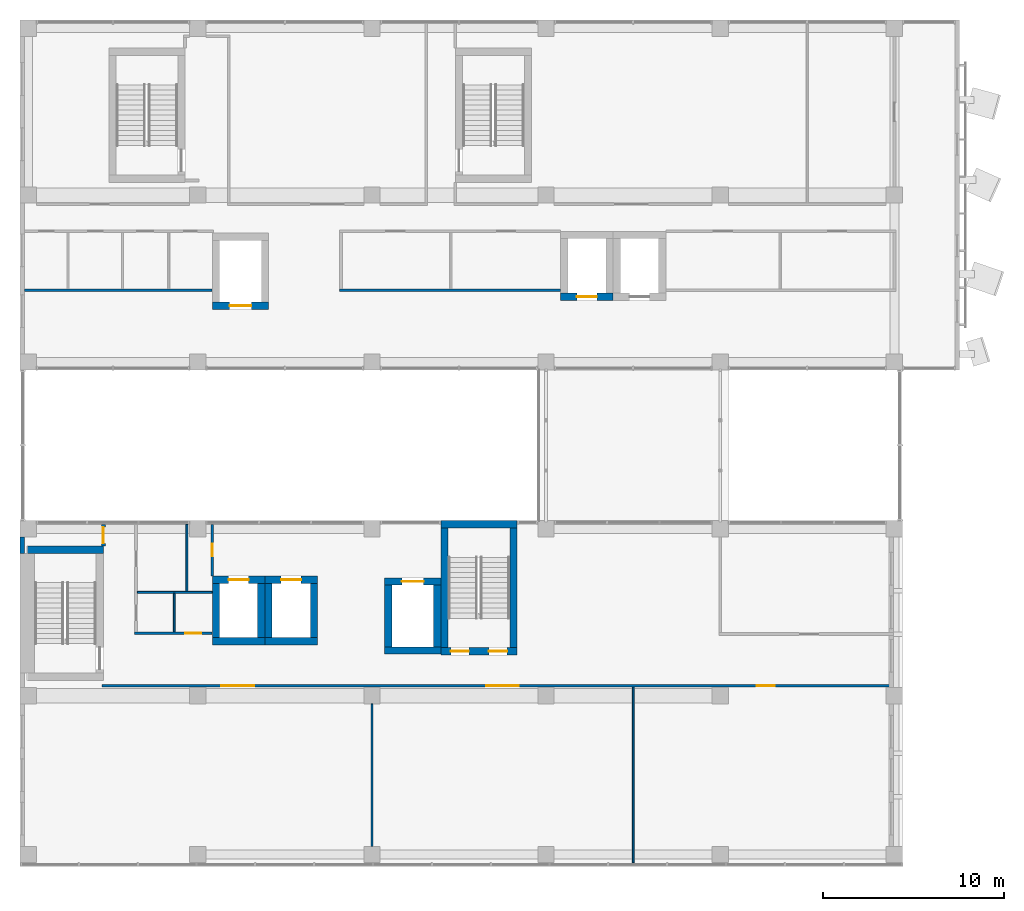
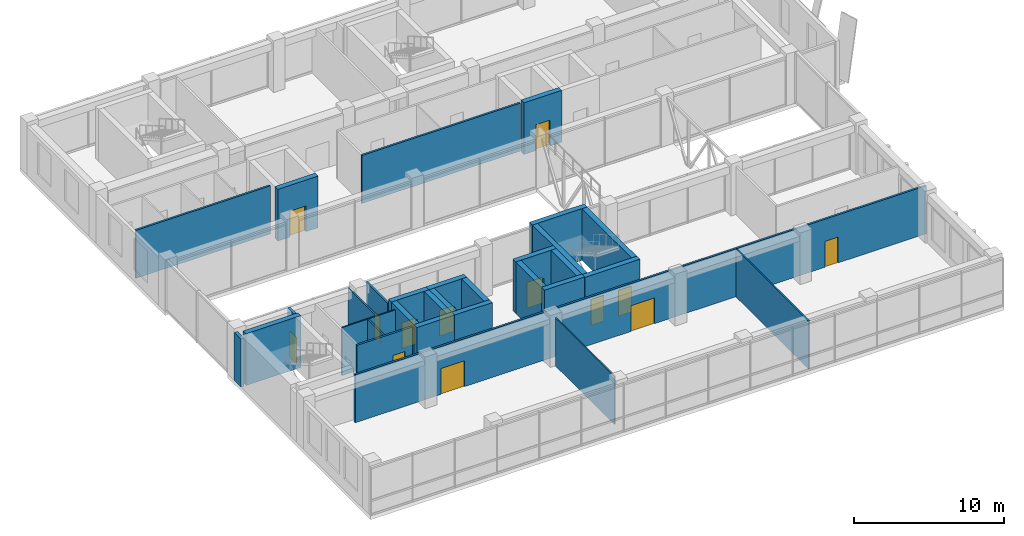
# One storey, part 29 of 38: 31 walls, 13 doors, 13 openings.
"""IFC4 building model written with IfcOpenShell, lengths in metres."""

from ifc_helpers import new_model, si_unit, direction, frame, frame_2d, origin, place, context, subcontext, project, spatial, rectangle, extrude, material, layer, layer_set, layer_usage, type_object, element, fill, save


model = new_model("IFC4")

# Units and contexts
model_context = context("Model", 3, precision=1e-05, world=origin(), true_north=direction((0.0, 1.0)))
body_context = subcontext(model_context, "Body", "Model", "MODEL_VIEW")
ifc_project = project(units=[si_unit("LENGTHUNIT", "METRE"), si_unit("AREAUNIT", "SQUARE_METRE"), si_unit("VOLUMEUNIT", "CUBIC_METRE"), si_unit("PLANEANGLEUNIT", "RADIAN"), si_unit("MASSUNIT", "GRAM", prefix="KILO")], contexts=[model_context])

# Site, building, storey
site_placement = place(None, origin())
site = spatial("IfcSite", under=ifc_project, at=site_placement, CompositionType="ELEMENT")
building_placement = place(site_placement, origin())
building = spatial("IfcBuilding", under=site, at=building_placement, Name="Nzadi Deep Aquarium and Research Tower", CompositionType="ELEMENT")
storey_placement = place(building_placement, frame((0.0, 0.0, 65.5)))
storey = spatial("IfcBuildingStorey", under=building, at=storey_placement, Name="L13", CompositionType="ELEMENT", Elevation=65.5)

# Walls
ifc_material_1 = material(Name="Graphite aluminium shingle", Category="aluminium")
ifc_layer_1 = layer(ifc_material_1, 0.050048828125, Category="cladding")
ifc_material_2 = material(Name="Concrete C35/45", Category="concrete")
ifc_layer_2 = layer(ifc_material_2, 0.10009765625, Category="cladding")
ifc_material_3 = material(Name="Mineral wool insulation")
ifc_layer_3 = layer(ifc_material_3, 0.070068359375, Category="insulation")
ifc_material_4 = material(Name="Gypsum board lining")
ifc_layer_4 = layer(ifc_material_4, 0.030029296875, Category="lining")
ifc_layer_set_1 = layer_set([ifc_layer_1, ifc_layer_2, ifc_layer_3, ifc_layer_4], Name="Graphite aluminium shingle, Concrete C35/45, Mineral wool insulation, Gypsum board lining")
ifc_layer_usage = layer_usage(ifc_layer_set_1, "AXIS2", "POSITIVE", -0.125)
wall_type_1 = type_object("IfcWallType", Name="End wall shingle over board-formed concrete 250", PredefinedType="ELEMENTEDWALL", material=ifc_layer_set_1)
wall_1_placement = place(storey_placement, frame((-0.074462890625, 17.949951171875, 0.0), z_axis=(0.0, 0.0, 1.0), x_axis=(0.0, -1.0, 0.0)))
element("IfcWall", 1, at=wall_1_placement, inside=storey, type_object=wall_type_1, material=ifc_layer_usage, Name="End wall blade A west L13", PredefinedType="ELEMENTEDWALL", context=body_context, shape_type="SweptSolid", body=[
    extrude(rectangle(XDim=0.89990234375, YDim=0.25, at=frame_2d((0.449951171875, 0.0))), origin(), (0.0, 0.0, 1.0), 3.89990234375),
])
ifc_material_5 = material(Name="Blockwork masonry", Category="masonry")
ifc_layer_5 = layer(ifc_material_5, 0.10009765625)
ifc_layer_set_2 = layer_set([ifc_layer_5], Name="Blockwork masonry")
wall_type_2 = type_object("IfcWallType", Name="Partition 100 EI 30", PredefinedType="PARTITIONING", material=ifc_layer_set_2)
wall_2_placement = place(storey_placement, frame((6.27490234375, 14.89990234375, 0.0), z_axis=(0.0, 0.0, 1.0), x_axis=(1.0, 0.0, 0.0)))
element("IfcWall", 2, at=wall_2_placement, inside=storey, type_object=wall_type_2, Name="W-Z1-L13-P010", PredefinedType="PARTITIONING", context=body_context, shape_type="SweptSolid", body=[
    extrude(rectangle(XDim=4.119140625, YDim=0.10009765625, at=frame_2d((2.0595703125, 0.0))), origin(), (0.0, 0.0, 1.0), 3.89990234375),
])
wall_3_placement = place(storey_placement, frame((8.300048828125, 12.72509765625, 0.0), z_axis=(0.0, 0.0, 1.0), x_axis=(0.0, 1.0, 0.0)))
element("IfcWall", 3, at=wall_3_placement, inside=storey, type_object=wall_type_2, Name="W-Z1-L13-P012", PredefinedType="PARTITIONING", context=body_context, shape_type="SweptSolid", body=[
    extrude(rectangle(XDim=2.125, YDim=0.10009765625, at=frame_2d((1.0625, 0.0))), origin(), (0.0, 0.0, 1.0), 3.89990234375),
])
wall_4_placement = place(storey_placement, frame((9.0, 14.949951171875, 0.0), z_axis=(0.0, 0.0, 1.0), x_axis=(0.0, 1.0, 0.0)))
element("IfcWall", 4, at=wall_4_placement, inside=storey, type_object=wall_type_2, Name="W-Z1-L13-P016", PredefinedType="PARTITIONING", context=body_context, shape_type="SweptSolid", body=[
    extrude(rectangle(XDim=3.694091796875, YDim=0.10009765625, at=frame_2d((1.84716796875, 0.0))), origin(), (0.0, 0.0, 1.0), 3.89990234375),
])
wall_5_placement = place(storey_placement, frame((19.199951171875, 0.89990234375, 0.0), z_axis=(0.0, 0.0, 1.0), x_axis=(0.0, 1.0, 0.0)))
element("IfcWall", 5, at=wall_5_placement, inside=storey, type_object=wall_type_2, Name="W-Z1-L13-P024", PredefinedType="PARTITIONING", context=body_context, shape_type="SweptSolid", body=[
    extrude(rectangle(XDim=7.85009765625, YDim=0.10009765625, at=frame_2d((3.925048828125, 0.0))), origin(), (0.0, 0.0, 1.0), 3.89990234375),
])
wall_6_placement = place(storey_placement, frame((33.60009765625, 0.006103515625, 0.0), z_axis=(0.0, 0.0, 1.0), x_axis=(0.0, 1.0, 0.0)))
element("IfcWall", 6, at=wall_6_placement, inside=storey, type_object=wall_type_2, Name="W-Z1-L13-P032", PredefinedType="PARTITIONING", context=body_context, shape_type="SweptSolid", body=[
    extrude(rectangle(XDim=9.6689453125, YDim=0.10009765625, at=frame_2d((4.83447265625, 0.0))), origin(), (0.0, 0.0, 1.0), 3.89990234375),
])
ifc_material_6 = material(Name="Blockwork masonry", Category="masonry")
ifc_layer_6 = layer(ifc_material_6, 0.14990234375)
ifc_layer_set_3 = layer_set([ifc_layer_6], Name="Blockwork masonry")
wall_type_3 = type_object("IfcWallType", Name="Partition 150 EI 60", PredefinedType="PARTITIONING", material=ifc_layer_set_3)
wall_7_placement = place(storey_placement, frame((0.055908203125, 31.550048828125, 0.0), z_axis=(0.0, 0.0, 1.0), x_axis=(1.0, 0.0, 0.0)))
element("IfcWall", 7, at=wall_7_placement, inside=storey, type_object=wall_type_3, Name="W-Z1-L13-P001", PredefinedType="PARTITIONING", context=body_context, shape_type="SweptSolid", body=[
    extrude(rectangle(XDim=10.338134765625, YDim=0.14990234375, at=frame_2d((5.1689453125, 0.0))), origin(), (0.0, 0.0, 1.0), 3.89990234375),
])

# Wall, openings, doors
wall_8_placement = place(storey_placement, frame((4.324951171875, 9.75, 0.0), z_axis=(0.0, 0.0, 1.0), x_axis=(1.0, 0.0, 0.0)))
wall_8 = element("IfcWall", 8, at=wall_8_placement, inside=storey, type_object=wall_type_3, Name="W-Z1-L13-P006", PredefinedType="PARTITIONING", context=body_context, shape_type="SweptSolid", body=[
    extrude(rectangle(XDim=43.869140625, YDim=0.14990234375, at=frame_2d((21.9345703125, 0.0))), origin(), (0.0, 0.0, 1.0), 3.89990234375),
])
opening_1_placement = place(wall_8_placement, frame((6.574951171875, 0.0, 0.0)))
opening_1 = element("IfcOpeningElement", 9, at=opening_1_placement, cuts=wall_8, Name="Opening D141006", PredefinedType="OPENING", context=body_context, shape_type="SweptSolid", body=[
    extrude(rectangle(XDim=1.800048828125, YDim=2.10009765625, at=frame_2d((0.89990234375, 1.050048828125))), frame((0.0, 0.0849609375, 0.0), z_axis=(0.0, -1.0, 0.0), x_axis=(1.0, 0.0, 0.0)), (0.0, 0.0, 1.0), 0.169921875),
])
opening_2_placement = place(wall_8_placement, frame((21.175048828125, 0.0, 0.0)))
opening_2 = element("IfcOpeningElement", 10, at=opening_2_placement, cuts=wall_8, Name="Opening D141007", PredefinedType="OPENING", context=body_context, shape_type="SweptSolid", body=[
    extrude(rectangle(XDim=1.800048828125, YDim=2.10009765625, at=frame_2d((0.89990234375, 1.050048828125))), frame((0.0, 0.0849609375, 0.0), z_axis=(0.0, -1.0, 0.0), x_axis=(1.0, 0.0, 0.0)), (0.0, 0.0, 1.0), 0.169921875),
])
opening_3_placement = place(wall_8_placement, frame((36.074951171875, 0.0, 0.0)))
opening_3 = element("IfcOpeningElement", 11, at=opening_3_placement, cuts=wall_8, Name="Opening D141008", PredefinedType="OPENING", context=body_context, shape_type="SweptSolid", body=[
    extrude(rectangle(XDim=1.0, YDim=2.10009765625, at=frame_2d((0.5, 1.050048828125))), frame((0.0, 0.0849609375, 0.0), z_axis=(0.0, -1.0, 0.0), x_axis=(1.0, 0.0, 0.0)), (0.0, 0.0, 1.0), 0.169921875),
])
ifc_material_7 = material(Name="Fire-rated steel door", Category="steel")
ifc_layer_7 = layer(ifc_material_7, 0.050048828125)
ifc_layer_set_4 = layer_set([ifc_layer_7], Name="Fire-rated steel door")
door_type_1 = type_object("IfcDoorType", Name="Door 1000x2100 EI 60 single", OperationType="SINGLE_SWING_LEFT", PredefinedType="DOOR", material=ifc_layer_set_4)
door_1_placement = place(opening_3_placement, origin())
door_1 = element("IfcDoor", 12, at=door_1_placement, inside=storey, type_object=door_type_1, Name="D141008", OperationType="SINGLE_SWING_LEFT", OverallHeight=2.10009765625, OverallWidth=1.0, PredefinedType="DOOR", context=body_context, shape_type="SweptSolid", body=[
    extrude(rectangle(XDim=1.0, YDim=2.10009765625, at=frame_2d((0.5, 1.050048828125))), frame((0.0, 0.02490234375, 0.0), z_axis=(0.0, -1.0, 0.0), x_axis=(1.0, 0.0, 0.0)), (0.0, 0.0, 1.0), 0.050048828125),
])
fill(opening_3, door_1)
ifc_material_8 = material(Name="Fire-rated steel door", Category="steel")
ifc_layer_8 = layer(ifc_material_8, 0.050048828125)
ifc_layer_set_5 = layer_set([ifc_layer_8], Name="Fire-rated steel door")
door_type_2 = type_object("IfcDoorType", Name="Door 1800x2100 EI 60 double", OperationType="DOUBLE_DOOR_SINGLE_SWING", PredefinedType="DOOR", material=ifc_layer_set_5)
door_2_placement = place(opening_1_placement, origin())
door_2 = element("IfcDoor", 13, at=door_2_placement, inside=storey, type_object=door_type_2, Name="D141006", OperationType="DOUBLE_DOOR_SINGLE_SWING", OverallHeight=2.10009765625, OverallWidth=1.800048828125, PredefinedType="DOOR", context=body_context, shape_type="SweptSolid", body=[
    extrude(rectangle(XDim=1.800048828125, YDim=2.10009765625, at=frame_2d((0.89990234375, 1.050048828125))), frame((0.0, 0.02490234375, 0.0), z_axis=(0.0, -1.0, 0.0), x_axis=(1.0, 0.0, 0.0)), (0.0, 0.0, 1.0), 0.050048828125),
])
fill(opening_1, door_2)
door_3_placement = place(opening_2_placement, origin())
door_3 = element("IfcDoor", 14, at=door_3_placement, inside=storey, type_object=door_type_2, Name="D141007", OperationType="DOUBLE_DOOR_SINGLE_SWING", OverallHeight=2.10009765625, OverallWidth=1.800048828125, PredefinedType="DOOR", context=body_context, shape_type="SweptSolid", body=[
    extrude(rectangle(XDim=1.800048828125, YDim=2.10009765625, at=frame_2d((0.89990234375, 1.050048828125))), frame((0.0, 0.02490234375, 0.0), z_axis=(0.0, -1.0, 0.0), x_axis=(1.0, 0.0, 0.0)), (0.0, 0.0, 1.0), 0.050048828125),
])
fill(opening_2, door_3)

# Wall, opening, door
wall_9_placement = place(storey_placement, frame((6.125, 12.64990234375, 0.0), z_axis=(0.0, 0.0, 1.0), x_axis=(1.0, 0.0, 0.0)))
wall_9 = element("IfcWall", 15, at=wall_9_placement, inside=storey, type_object=wall_type_3, Name="W-Z1-L13-P008", PredefinedType="PARTITIONING", context=body_context, shape_type="SweptSolid", body=[
    extrude(rectangle(XDim=4.26904296875, YDim=0.14990234375, at=frame_2d((2.134521484375, 0.0))), origin(), (0.0, 0.0, 1.0), 3.89990234375),
])
opening_4_placement = place(wall_9_placement, frame((2.77490234375, 0.0, 0.0)))
opening_4 = element("IfcOpeningElement", 16, at=opening_4_placement, cuts=wall_9, Name="Opening D141003", PredefinedType="OPENING", context=body_context, shape_type="SweptSolid", body=[
    extrude(rectangle(XDim=0.89990234375, YDim=2.10009765625, at=frame_2d((0.449951171875, 1.050048828125))), frame((0.0, 0.0849609375, 0.0), z_axis=(0.0, -1.0, 0.0), x_axis=(1.0, 0.0, 0.0)), (0.0, 0.0, 1.0), 0.169921875),
])
ifc_material_9 = material(Name="Fire-rated steel door", Category="steel")
ifc_layer_9 = layer(ifc_material_9, 0.050048828125)
ifc_layer_set_6 = layer_set([ifc_layer_9], Name="Fire-rated steel door")
door_type_3 = type_object("IfcDoorType", Name="Door 900x2100 EI 60 single", OperationType="SINGLE_SWING_LEFT", PredefinedType="DOOR", material=ifc_layer_set_6)
door_4_placement = place(opening_4_placement, origin())
door_4 = element("IfcDoor", 17, at=door_4_placement, inside=storey, type_object=door_type_3, Name="D141003", OperationType="SINGLE_SWING_RIGHT", OverallHeight=2.10009765625, OverallWidth=0.89990234375, PredefinedType="DOOR", context=body_context, shape_type="SweptSolid", body=[
    extrude(rectangle(XDim=0.89990234375, YDim=2.10009765625, at=frame_2d((0.449951171875, 1.050048828125))), frame((0.0, 0.02490234375, 0.0), z_axis=(0.0, -1.0, 0.0), x_axis=(1.0, 0.0, 0.0)), (0.0, 0.0, 1.0), 0.050048828125),
])
fill(opening_4, door_4)

wall_10_placement = place(storey_placement, frame((10.39990234375, 15.805908203125, 0.0), z_axis=(0.0, 0.0, 1.0), x_axis=(0.0, 1.0, 0.0)))
wall_10 = element("IfcWall", 18, at=wall_10_placement, inside=storey, type_object=wall_type_3, Name="W-Z1-L13-P018", PredefinedType="PARTITIONING", context=body_context, shape_type="SweptSolid", body=[
    extrude(rectangle(XDim=2.838134765625, YDim=0.14990234375, at=frame_2d((1.4189453125, 0.0))), origin(), (0.0, 0.0, 1.0), 3.89990234375),
])
opening_5_placement = place(wall_10_placement, frame((1.073974609375, 0.0, 0.0)))
opening_5 = element("IfcOpeningElement", 19, at=opening_5_placement, cuts=wall_10, Name="Opening D141005", PredefinedType="OPENING", context=body_context, shape_type="SweptSolid", body=[
    extrude(rectangle(XDim=0.699951171875, YDim=2.10009765625, at=frame_2d((0.35009765625, 1.050048828125))), frame((0.0, 0.0849609375, 0.0), z_axis=(0.0, -1.0, 0.0), x_axis=(1.0, 0.0, 0.0)), (0.0, 0.0, 1.0), 0.169921875),
])
ifc_material_10 = material(Name="Fire-rated steel door", Category="steel")
ifc_layer_10 = layer(ifc_material_10, 0.050048828125)
ifc_layer_set_7 = layer_set([ifc_layer_10], Name="Fire-rated steel door")
door_type_4 = type_object("IfcDoorType", Name="Door 700x2100 EI 60 single", OperationType="SINGLE_SWING_LEFT", PredefinedType="DOOR", material=ifc_layer_set_7)
door_5_placement = place(opening_5_placement, origin())
door_5 = element("IfcDoor", 20, at=door_5_placement, inside=storey, type_object=door_type_4, Name="D141005", OperationType="SINGLE_SWING_LEFT", OverallHeight=2.10009765625, OverallWidth=0.699951171875, PredefinedType="DOOR", context=body_context, shape_type="SweptSolid", body=[
    extrude(rectangle(XDim=0.699951171875, YDim=2.10009765625, at=frame_2d((0.35009765625, 1.050048828125))), frame((0.0, 0.02490234375, 0.0), z_axis=(0.0, -1.0, 0.0), x_axis=(1.0, 0.0, 0.0)), (0.0, 0.0, 1.0), 0.050048828125),
])
fill(opening_5, door_5)

# Wall
wall_11_placement = place(storey_placement, frame((17.425048828125, 31.550048828125, 0.0), z_axis=(0.0, 0.0, 1.0), x_axis=(1.0, 0.0, 0.0)))
element("IfcWall", 21, at=wall_11_placement, inside=storey, type_object=wall_type_3, Name="W-Z1-L13-P021", PredefinedType="PARTITIONING", context=body_context, shape_type="SweptSolid", body=[
    extrude(rectangle(XDim=12.1689453125, YDim=0.14990234375, at=frame_2d((6.08447265625, 0.0))), origin(), (0.0, 0.0, 1.0), 3.89990234375),
])

# Wall, opening, door
ifc_material_11 = material(Name="Blockwork masonry", Category="masonry")
ifc_layer_11 = layer(ifc_material_11, 0.199951171875)
ifc_layer_set_8 = layer_set([ifc_layer_11], Name="Blockwork masonry")
wall_type_4 = type_object("IfcWallType", Name="Partition 200 EI 120", PredefinedType="PARTITIONING", material=ifc_layer_set_8)
wall_12_placement = place(storey_placement, frame((4.39990234375, 17.4560546875, 0.0), z_axis=(0.0, 0.0, 1.0), x_axis=(0.0, 1.0, 0.0)))
wall_12 = element("IfcWall", 22, at=wall_12_placement, inside=storey, type_object=wall_type_4, Name="W-Z1-L13-P005", PredefinedType="PARTITIONING", context=body_context, shape_type="SweptSolid", body=[
    extrude(rectangle(XDim=1.18798828125, YDim=0.199951171875, at=frame_2d((0.593994140625, 0.0))), origin(), (0.0, 0.0, 1.0), 3.89990234375),
])
opening_6_placement = place(wall_12_placement, frame((0.14404296875, 0.0, 0.0)))
opening_6 = element("IfcOpeningElement", 23, at=opening_6_placement, cuts=wall_12, Name="Opening D141001", PredefinedType="OPENING", context=body_context, shape_type="SweptSolid", body=[
    extrude(rectangle(XDim=0.89990234375, YDim=2.10009765625, at=frame_2d((0.449951171875, 1.050048828125))), frame((0.0, 0.110107421875, 0.0), z_axis=(0.0, -1.0, 0.0), x_axis=(1.0, 0.0, 0.0)), (0.0, 0.0, 1.0), 0.22021484375),
])
ifc_material_12 = material(Name="Fire-rated steel door", Category="steel")
ifc_layer_12 = layer(ifc_material_12, 0.050048828125)
ifc_layer_set_9 = layer_set([ifc_layer_12], Name="Fire-rated steel door")
door_type_5 = type_object("IfcDoorType", Name="Door 900x2100 EI 120 single", OperationType="SINGLE_SWING_LEFT", PredefinedType="DOOR", material=ifc_layer_set_9)
door_6_placement = place(opening_6_placement, origin())
door_6 = element("IfcDoor", 24, at=door_6_placement, inside=storey, type_object=door_type_5, Name="D141001", OperationType="SINGLE_SWING_LEFT", OverallHeight=2.10009765625, OverallWidth=0.89990234375, PredefinedType="DOOR", context=body_context, shape_type="SweptSolid", body=[
    extrude(rectangle(XDim=0.89990234375, YDim=2.10009765625, at=frame_2d((0.449951171875, 1.050048828125))), frame((0.0, 0.02490234375, 0.0), z_axis=(0.0, -1.0, 0.0), x_axis=(1.0, 0.0, 0.0)), (0.0, 0.0, 1.0), 0.050048828125),
])
fill(opening_6, door_6)

# Wall
ifc_material_13 = material(Name="Concrete C35/45", Category="concrete")
ifc_layer_13 = layer(ifc_material_13, 0.39990234375)
ifc_layer_set_10 = layer_set([ifc_layer_13], Name="Concrete C35/45")
wall_type_5 = type_object("IfcWallType", Name="RC core wall 400", PredefinedType="SHEAR", material=ifc_layer_set_10)
wall_13_placement = place(storey_placement, frame((0.199951171875, 17.25, 0.0), z_axis=(0.0, 0.0, 1.0), x_axis=(1.0, 0.0, 0.0)))
element("IfcWall", 25, at=wall_13_placement, inside=storey, type_object=wall_type_5, Name="W-CORE-ST-Z1-SW-L13-N", PredefinedType="SHEAR", context=body_context, shape_type="SweptSolid", body=[
    extrude(rectangle(XDim=4.199951171875, YDim=0.39990234375, at=frame_2d((2.10009765625, 0.0))), origin(), (0.0, 0.0, 1.0), 4.199951171875),
])

# Wall, openings, doors
wall_14_placement = place(storey_placement, frame((23.0, 11.64990234375, 0.0), z_axis=(0.0, 0.0, 1.0), x_axis=(1.0, 0.0, 0.0)))
wall_14 = element("IfcWall", 26, at=wall_14_placement, inside=storey, type_object=wall_type_5, Name="W-CORE-ST-Z1-SE-L13-S", PredefinedType="SHEAR", context=body_context, shape_type="SweptSolid", body=[
    extrude(rectangle(XDim=4.199951171875, YDim=0.39990234375, at=frame_2d((2.10009765625, 0.0))), origin(), (0.0, 0.0, 1.0), 4.199951171875),
])
opening_7_placement = place(wall_14_placement, frame((0.550048828125, 0.0, 0.0)))
opening_7 = element("IfcOpeningElement", 27, at=opening_7_placement, cuts=wall_14, Name="Opening DS-Z1-SE-L13A", PredefinedType="OPENING", context=body_context, shape_type="SweptSolid", body=[
    extrude(rectangle(XDim=1.0, YDim=2.10009765625, at=frame_2d((0.5, 1.050048828125))), frame((0.0, 0.2099609375, 0.0), z_axis=(0.0, -1.0, 0.0), x_axis=(1.0, 0.0, 0.0)), (0.0, 0.0, 1.0), 0.419921875),
])
opening_8_placement = place(wall_14_placement, frame((2.64990234375, 0.0, 0.0)))
opening_8 = element("IfcOpeningElement", 28, at=opening_8_placement, cuts=wall_14, Name="Opening DS-Z1-SE-L13B", PredefinedType="OPENING", context=body_context, shape_type="SweptSolid", body=[
    extrude(rectangle(XDim=1.0, YDim=2.10009765625, at=frame_2d((0.5, 1.050048828125))), frame((0.0, 0.2099609375, 0.0), z_axis=(0.0, -1.0, 0.0), x_axis=(1.0, 0.0, 0.0)), (0.0, 0.0, 1.0), 0.419921875),
])
ifc_material_14 = material(Name="Steel, powder coated", Category="steel")
door_type_6 = type_object("IfcDoorType", Name="STAIR DOOR 1000x2100 EI 60", OperationType="SINGLE_SWING_LEFT", PredefinedType="DOOR", material=ifc_material_14)
door_7_placement = place(opening_7_placement, origin())
door_7 = element("IfcDoor", 29, at=door_7_placement, inside=storey, type_object=door_type_6, Name="Stair door ST-Z1-SE L13 A", OperationType="SINGLE_SWING_RIGHT", OverallHeight=2.10009765625, OverallWidth=1.0, PredefinedType="DOOR", context=body_context, shape_type="SweptSolid", body=[
    extrude(rectangle(XDim=1.0, YDim=2.10009765625, at=frame_2d((0.5, 1.050048828125))), frame((0.0, 0.02490234375, 0.0), z_axis=(0.0, -1.0, 0.0), x_axis=(1.0, 0.0, 0.0)), (0.0, 0.0, 1.0), 0.050048828125),
])
fill(opening_7, door_7)
door_8_placement = place(opening_8_placement, origin())
door_8 = element("IfcDoor", 30, at=door_8_placement, inside=storey, type_object=door_type_6, Name="Stair door ST-Z1-SE L13 B", OperationType="SINGLE_SWING_LEFT", OverallHeight=2.10009765625, OverallWidth=1.0, PredefinedType="DOOR", context=body_context, shape_type="SweptSolid", body=[
    extrude(rectangle(XDim=1.0, YDim=2.10009765625, at=frame_2d((0.5, 1.050048828125))), frame((0.0, 0.02490234375, 0.0), z_axis=(0.0, -1.0, 0.0), x_axis=(1.0, 0.0, 0.0)), (0.0, 0.0, 1.0), 0.050048828125),
])
fill(opening_8, door_8)

# Walls
wall_15_placement = place(storey_placement, frame((23.0, 18.64990234375, 0.0), z_axis=(0.0, 0.0, 1.0), x_axis=(1.0, 0.0, 0.0)))
element("IfcWall", 31, at=wall_15_placement, inside=storey, type_object=wall_type_5, Name="W-CORE-ST-Z1-SE-L13-N", PredefinedType="SHEAR", context=body_context, shape_type="SweptSolid", body=[
    extrude(rectangle(XDim=4.199951171875, YDim=0.39990234375, at=frame_2d((2.10009765625, 0.0))), origin(), (0.0, 0.0, 1.0), 4.199951171875),
])
for number, where, z_axis, x_axis, name in (
    (32, (23.199951171875, 11.85009765625, 0.0), (0.0, 0.0, 1.0), (0.0, 1.0, 0.0), "W-CORE-ST-Z1-SE-L13-W"),
    (33, (27.0, 11.85009765625, 0.0), (0.0, 0.0, 1.0), (0.0, 1.0, 0.0), "W-CORE-ST-Z1-SE-L13-E"),
):
    element("IfcWall", number, at=place(storey_placement, frame(where, z_axis=z_axis, x_axis=x_axis)), inside=storey, type_object=wall_type_5, Name=name, PredefinedType="SHEAR", context=body_context, shape_type="SweptSolid", body=[
        extrude(rectangle(XDim=6.599853515625, YDim=0.39990234375, at=frame_2d((3.2998046875, 0.0))), origin(), (0.0, 0.0, 1.0), 4.199951171875),
    ])
wall_16_placement = place(storey_placement, frame((10.39990234375, 12.199951171875, 0.0), z_axis=(0.0, 0.0, 1.0), x_axis=(1.0, 0.0, 0.0)))
element("IfcWall", 34, at=wall_16_placement, inside=storey, type_object=wall_type_5, Name="W-CORE-TL1-L13-S", PredefinedType="SHEAR", context=body_context, shape_type="SweptSolid", body=[
    extrude(rectangle(XDim=2.900146484375, YDim=0.39990234375, at=frame_2d((1.4501953125, 0.0))), origin(), (0.0, 0.0, 1.0), 4.199951171875),
])

# Wall, opening, door
wall_17_placement = place(storey_placement, frame((10.39990234375, 15.60009765625, 0.0), z_axis=(0.0, 0.0, 1.0), x_axis=(1.0, 0.0, 0.0)))
wall_17 = element("IfcWall", 35, at=wall_17_placement, inside=storey, type_object=wall_type_5, Name="W-CORE-TL1-L13-N", PredefinedType="SHEAR", context=body_context, shape_type="SweptSolid", body=[
    extrude(rectangle(XDim=2.900146484375, YDim=0.39990234375, at=frame_2d((1.4501953125, 0.0))), origin(), (0.0, 0.0, 1.0), 4.199951171875),
])
opening_9_placement = place(wall_17_placement, frame((0.89990234375, 0.0, 0.0)))
opening_9 = element("IfcOpeningElement", 36, at=opening_9_placement, cuts=wall_17, Name="Opening LD-TL1-L13", PredefinedType="OPENING", context=body_context, shape_type="SweptSolid", body=[
    extrude(rectangle(XDim=1.10009765625, YDim=2.10009765625, at=frame_2d((0.550048828125, 1.050048828125))), frame((0.0, 0.2099609375, 0.0), z_axis=(0.0, -1.0, 0.0), x_axis=(1.0, 0.0, 0.0)), (0.0, 0.0, 1.0), 0.419921875),
])
ifc_material_15 = material(Name="Stainless steel 1.4301", Category="steel")
door_type_7 = type_object("IfcDoorType", Name="LANDING DOOR 1100x2100", OperationType="DOUBLE_DOOR_SLIDING", PredefinedType="DOOR", material=ifc_material_15)
door_9_placement = place(opening_9_placement, origin())
door_9 = element("IfcDoor", 37, at=door_9_placement, inside=storey, type_object=door_type_7, Name="Landing door TL1 L13", OperationType="DOUBLE_DOOR_SLIDING", OverallHeight=2.10009765625, OverallWidth=1.10009765625, PredefinedType="DOOR", context=body_context, shape_type="SweptSolid", body=[
    extrude(rectangle(XDim=1.10009765625, YDim=2.10009765625, at=frame_2d((0.550048828125, 1.050048828125))), frame((0.0, 0.02490234375, 0.0), z_axis=(0.0, -1.0, 0.0), x_axis=(1.0, 0.0, 0.0)), (0.0, 0.0, 1.0), 0.050048828125),
])
fill(opening_9, door_9)

# Walls
for number, where, z_axis, x_axis, name in (
    (38, (10.60009765625, 12.39990234375, 0.0), (0.0, 0.0, 1.0), (0.0, 1.0, 0.0), "W-CORE-TL1-L13-W"),
    (39, (13.10009765625, 12.39990234375, 0.0), (0.0, 0.0, 1.0), (0.0, 1.0, 0.0), "W-CORE-TL1-L13-E"),
):
    element("IfcWall", number, at=place(storey_placement, frame(where, z_axis=z_axis, x_axis=x_axis)), inside=storey, type_object=wall_type_5, Name=name, PredefinedType="SHEAR", context=body_context, shape_type="SweptSolid", body=[
        extrude(rectangle(XDim=3.0, YDim=0.39990234375, at=frame_2d((1.5, 0.0))), origin(), (0.0, 0.0, 1.0), 4.199951171875),
    ])
wall_18_placement = place(storey_placement, frame((13.300048828125, 12.199951171875, 0.0), z_axis=(0.0, 0.0, 1.0), x_axis=(1.0, 0.0, 0.0)))
element("IfcWall", 40, at=wall_18_placement, inside=storey, type_object=wall_type_5, Name="W-CORE-TL2-L13-S", PredefinedType="SHEAR", context=body_context, shape_type="SweptSolid", body=[
    extrude(rectangle(XDim=2.89990234375, YDim=0.39990234375, at=frame_2d((1.449951171875, 0.0))), origin(), (0.0, 0.0, 1.0), 4.199951171875),
])

# Wall, opening, door
wall_19_placement = place(storey_placement, frame((13.300048828125, 15.60009765625, 0.0), z_axis=(0.0, 0.0, 1.0), x_axis=(1.0, 0.0, 0.0)))
wall_19 = element("IfcWall", 41, at=wall_19_placement, inside=storey, type_object=wall_type_5, Name="W-CORE-TL2-L13-N", PredefinedType="SHEAR", context=body_context, shape_type="SweptSolid", body=[
    extrude(rectangle(XDim=2.89990234375, YDim=0.39990234375, at=frame_2d((1.449951171875, 0.0))), origin(), (0.0, 0.0, 1.0), 4.199951171875),
])
opening_10_placement = place(wall_19_placement, frame((0.89990234375, 0.0, 0.0)))
opening_10 = element("IfcOpeningElement", 42, at=opening_10_placement, cuts=wall_19, Name="Opening LD-TL2-L13", PredefinedType="OPENING", context=body_context, shape_type="SweptSolid", body=[
    extrude(rectangle(XDim=1.10009765625, YDim=2.10009765625, at=frame_2d((0.550048828125, 1.050048828125))), frame((0.0, 0.2099609375, 0.0), z_axis=(0.0, -1.0, 0.0), x_axis=(1.0, 0.0, 0.0)), (0.0, 0.0, 1.0), 0.419921875),
])
door_10_placement = place(opening_10_placement, origin())
door_10 = element("IfcDoor", 43, at=door_10_placement, inside=storey, type_object=door_type_7, Name="Landing door TL2 L13", OperationType="DOUBLE_DOOR_SLIDING", OverallHeight=2.10009765625, OverallWidth=1.10009765625, PredefinedType="DOOR", context=body_context, shape_type="SweptSolid", body=[
    extrude(rectangle(XDim=1.10009765625, YDim=2.10009765625, at=frame_2d((0.550048828125, 1.050048828125))), frame((0.0, 0.02490234375, 0.0), z_axis=(0.0, -1.0, 0.0), x_axis=(1.0, 0.0, 0.0)), (0.0, 0.0, 1.0), 0.050048828125),
])
fill(opening_10, door_10)

# Walls
for number, where, z_axis, x_axis, name in (
    (44, (13.5, 12.39990234375, 0.0), (0.0, 0.0, 1.0), (0.0, 1.0, 0.0), "W-CORE-TL2-L13-W"),
    (45, (16.0, 12.39990234375, 0.0), (0.0, 0.0, 1.0), (0.0, 1.0, 0.0), "W-CORE-TL2-L13-E"),
):
    element("IfcWall", number, at=place(storey_placement, frame(where, z_axis=z_axis, x_axis=x_axis)), inside=storey, type_object=wall_type_5, Name=name, PredefinedType="SHEAR", context=body_context, shape_type="SweptSolid", body=[
        extrude(rectangle(XDim=3.0, YDim=0.39990234375, at=frame_2d((1.5, 0.0))), origin(), (0.0, 0.0, 1.0), 4.199951171875),
    ])
wall_20_placement = place(storey_placement, frame((19.89990234375, 11.699951171875, 0.0), z_axis=(0.0, 0.0, 1.0), x_axis=(1.0, 0.0, 0.0)))
element("IfcWall", 46, at=wall_20_placement, inside=storey, type_object=wall_type_5, Name="W-CORE-FL1-L13-S", PredefinedType="SHEAR", context=body_context, shape_type="SweptSolid", body=[
    extrude(rectangle(XDim=3.10009765625, YDim=0.39990234375, at=frame_2d((1.550048828125, 0.0))), origin(), (0.0, 0.0, 1.0), 4.199951171875),
])

# Wall, opening, door
wall_21_placement = place(storey_placement, frame((19.89990234375, 15.5, 0.0), z_axis=(0.0, 0.0, 1.0), x_axis=(1.0, 0.0, 0.0)))
wall_21 = element("IfcWall", 47, at=wall_21_placement, inside=storey, type_object=wall_type_5, Name="W-CORE-FL1-L13-N", PredefinedType="SHEAR", context=body_context, shape_type="SweptSolid", body=[
    extrude(rectangle(XDim=3.10009765625, YDim=0.39990234375, at=frame_2d((1.550048828125, 0.0))), origin(), (0.0, 0.0, 1.0), 4.199951171875),
])
opening_11_placement = place(wall_21_placement, frame((0.949951171875, 0.0, 0.0)))
opening_11 = element("IfcOpeningElement", 48, at=opening_11_placement, cuts=wall_21, Name="Opening LD-FL1-L13", PredefinedType="OPENING", context=body_context, shape_type="SweptSolid", body=[
    extrude(rectangle(XDim=1.199951171875, YDim=2.10009765625, at=frame_2d((0.60009765625, 1.050048828125))), frame((0.0, 0.2099609375, 0.0), z_axis=(0.0, -1.0, 0.0), x_axis=(1.0, 0.0, 0.0)), (0.0, 0.0, 1.0), 0.419921875),
])
ifc_material_16 = material(Name="Stainless steel 1.4301", Category="steel")
door_type_8 = type_object("IfcDoorType", Name="LANDING DOOR 1200x2100", OperationType="DOUBLE_DOOR_SLIDING", PredefinedType="DOOR", material=ifc_material_16)
door_11_placement = place(opening_11_placement, origin())
door_11 = element("IfcDoor", 49, at=door_11_placement, inside=storey, type_object=door_type_8, Name="Landing door FL1 L13", OperationType="DOUBLE_DOOR_SLIDING", OverallHeight=2.10009765625, OverallWidth=1.199951171875, PredefinedType="DOOR", context=body_context, shape_type="SweptSolid", body=[
    extrude(rectangle(XDim=1.199951171875, YDim=2.10009765625, at=frame_2d((0.60009765625, 1.050048828125))), frame((0.0, 0.02490234375, 0.0), z_axis=(0.0, -1.0, 0.0), x_axis=(1.0, 0.0, 0.0)), (0.0, 0.0, 1.0), 0.050048828125),
])
fill(opening_11, door_11)

# Walls
for number, where, z_axis, x_axis, name in (
    (50, (20.10009765625, 11.89990234375, 0.0), (0.0, 0.0, 1.0), (0.0, 1.0, 0.0), "W-CORE-FL1-L13-W"),
    (51, (22.800048828125, 11.89990234375, 0.0), (0.0, 0.0, 1.0), (0.0, 1.0, 0.0), "W-CORE-FL1-L13-E"),
):
    element("IfcWall", number, at=place(storey_placement, frame(where, z_axis=z_axis, x_axis=x_axis)), inside=storey, type_object=wall_type_5, Name=name, PredefinedType="SHEAR", context=body_context, shape_type="SweptSolid", body=[
        extrude(rectangle(XDim=3.400146484375, YDim=0.39990234375, at=frame_2d((1.7001953125, 0.0))), origin(), (0.0, 0.0, 1.0), 4.199951171875),
    ])

# Wall, opening, door
wall_22_placement = place(storey_placement, frame((10.39990234375, 30.699951171875, 0.0), z_axis=(0.0, 0.0, 1.0), x_axis=(1.0, 0.0, 0.0)))
wall_22 = element("IfcWall", 52, at=wall_22_placement, inside=storey, type_object=wall_type_5, Name="W-CORE-FL2-L13-S", PredefinedType="SHEAR", context=body_context, shape_type="SweptSolid", body=[
    extrude(rectangle(XDim=3.10009765625, YDim=0.39990234375, at=frame_2d((1.550048828125, 0.0))), origin(), (0.0, 0.0, 1.0), 4.199951171875),
])
opening_12_placement = place(wall_22_placement, frame((0.949951171875, 0.0, 0.0)))
opening_12 = element("IfcOpeningElement", 53, at=opening_12_placement, cuts=wall_22, Name="Opening LD-FL2-L13", PredefinedType="OPENING", context=body_context, shape_type="SweptSolid", body=[
    extrude(rectangle(XDim=1.199951171875, YDim=2.10009765625, at=frame_2d((0.60009765625, 1.050048828125))), frame((0.0, 0.2099609375, 0.0), z_axis=(0.0, -1.0, 0.0), x_axis=(1.0, 0.0, 0.0)), (0.0, 0.0, 1.0), 0.419921875),
])
door_12_placement = place(opening_12_placement, origin())
door_12 = element("IfcDoor", 54, at=door_12_placement, inside=storey, type_object=door_type_8, Name="Landing door FL2 L13", OperationType="DOUBLE_DOOR_SLIDING", OverallHeight=2.10009765625, OverallWidth=1.199951171875, PredefinedType="DOOR", context=body_context, shape_type="SweptSolid", body=[
    extrude(rectangle(XDim=1.199951171875, YDim=2.10009765625, at=frame_2d((0.60009765625, 1.050048828125))), frame((0.0, 0.02490234375, 0.0), z_axis=(0.0, -1.0, 0.0), x_axis=(1.0, 0.0, 0.0)), (0.0, 0.0, 1.0), 0.050048828125),
])
fill(opening_12, door_12)

wall_23_placement = place(storey_placement, frame((29.60009765625, 31.199951171875, 0.0), z_axis=(0.0, 0.0, 1.0), x_axis=(1.0, 0.0, 0.0)))
wall_23 = element("IfcWall", 55, at=wall_23_placement, inside=storey, type_object=wall_type_5, Name="W-CORE-TL3-L13-S", PredefinedType="SHEAR", context=body_context, shape_type="SweptSolid", body=[
    extrude(rectangle(XDim=2.89990234375, YDim=0.39990234375, at=frame_2d((1.449951171875, 0.0))), origin(), (0.0, 0.0, 1.0), 4.199951171875),
])
opening_13_placement = place(wall_23_placement, frame((0.89990234375, 0.0, 0.0)))
opening_13 = element("IfcOpeningElement", 56, at=opening_13_placement, cuts=wall_23, Name="Opening LD-TL3-L13", PredefinedType="OPENING", context=body_context, shape_type="SweptSolid", body=[
    extrude(rectangle(XDim=1.10009765625, YDim=2.10009765625, at=frame_2d((0.550048828125, 1.050048828125))), frame((0.0, 0.2099609375, 0.0), z_axis=(0.0, -1.0, 0.0), x_axis=(1.0, 0.0, 0.0)), (0.0, 0.0, 1.0), 0.419921875),
])
door_13_placement = place(opening_13_placement, origin())
door_13 = element("IfcDoor", 57, at=door_13_placement, inside=storey, type_object=door_type_7, Name="Landing door TL3 L13", OperationType="DOUBLE_DOOR_SLIDING", OverallHeight=2.10009765625, OverallWidth=1.10009765625, PredefinedType="DOOR", context=body_context, shape_type="SweptSolid", body=[
    extrude(rectangle(XDim=1.10009765625, YDim=2.10009765625, at=frame_2d((0.550048828125, 1.050048828125))), frame((0.0, 0.02490234375, 0.0), z_axis=(0.0, -1.0, 0.0), x_axis=(1.0, 0.0, 0.0)), (0.0, 0.0, 1.0), 0.050048828125),
])
fill(opening_13, door_13)

save(model, "model.ifc")
